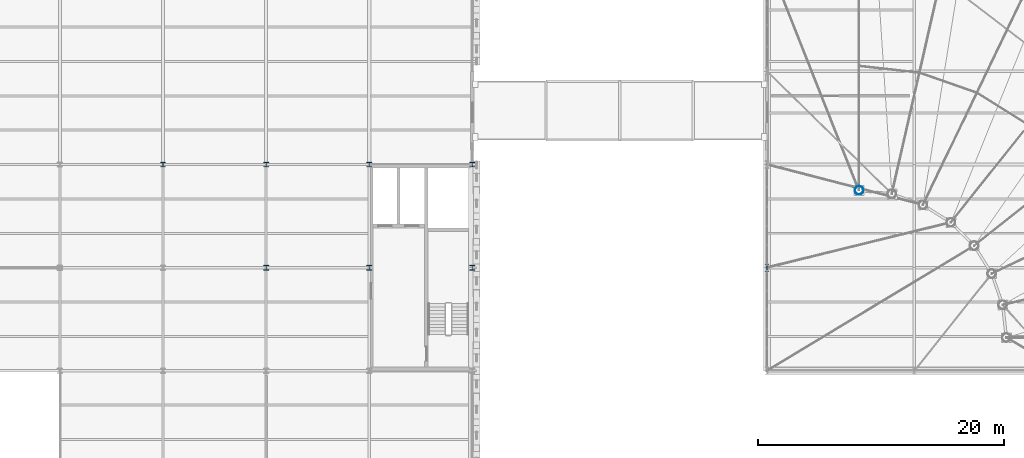
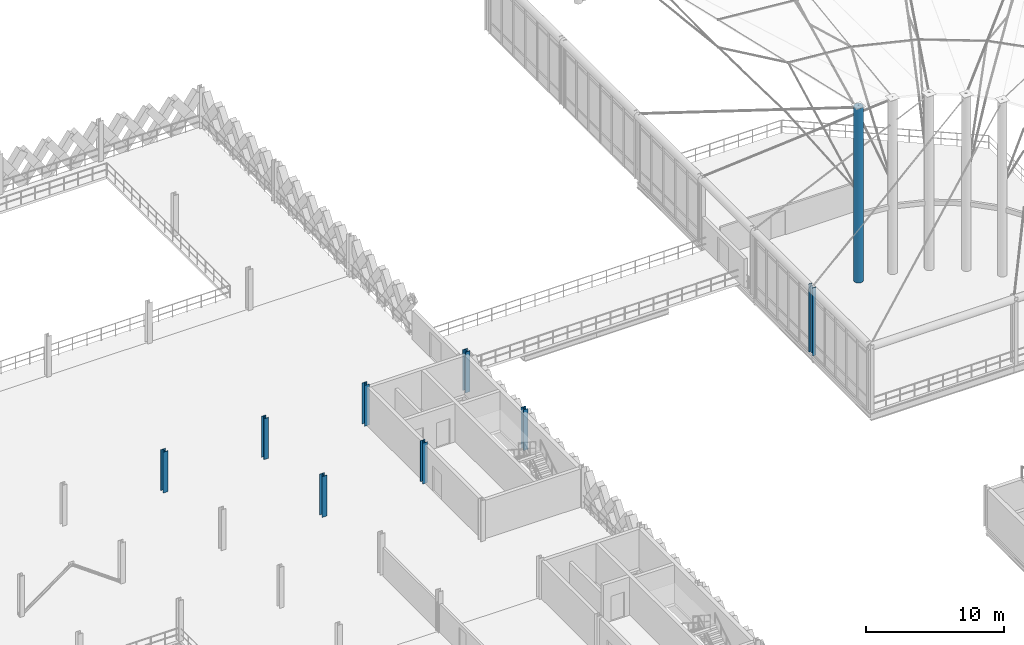
# One storey, part 13 of 101: 9 columns.
"""IFC4 building model written with IfcOpenShell, lengths in metres."""

from ifc_helpers import new_model, si_unit, direction, frame, origin, origin_2d, place, context, subcontext, project, spatial, hollow_circle, i_section, extrude, material, material_profile, profile_set, type_object, element, save


model = new_model("IFC4")

# Units and contexts
model_context = context("Model", 3, precision=1e-05, world=origin(), true_north=direction((0.0, 1.0)))
body_context = subcontext(model_context, "Body", "Model", "MODEL_VIEW")
ifc_project = project(units=[si_unit("LENGTHUNIT", "METRE"), si_unit("AREAUNIT", "SQUARE_METRE"), si_unit("VOLUMEUNIT", "CUBIC_METRE"), si_unit("PLANEANGLEUNIT", "RADIAN"), si_unit("MASSUNIT", "GRAM", prefix="KILO"), si_unit("THERMODYNAMICTEMPERATUREUNIT", "KELVIN"), si_unit("POWERUNIT", "WATT")], contexts=[model_context])

# Site, building, storey
site_placement = place(None, origin())
site = spatial("IfcSite", under=ifc_project, at=site_placement, CompositionType="ELEMENT")
building_placement = place(site_placement, origin())
building = spatial("IfcBuilding", under=site, at=building_placement, Name="Tembeka Court Mobility Hub", CompositionType="ELEMENT")
storey_placement = place(building_placement, frame((0.0, 0.0, 5.39990234375)))
storey = spatial("IfcBuildingStorey", under=building, at=storey_placement, Name="L01", CompositionType="ELEMENT", Elevation=5.39990234375)

# Columns
ifc_material = material(Name="Steel S355", Category="steel")
ifc_material_profile_1 = material_profile(ifc_material, i_section(OverallWidth=0.39501953125, OverallDepth=0.381103515625, WebThickness=0.018310546875, FlangeThickness=0.0302734375, FilletRadius=0.01513671875, at=origin_2d()), Name="UKC 356x406x235")
ifc_profile_set_1 = profile_set([ifc_material_profile_1], Name="Steel S355")
column_type_1 = type_object("IfcColumnType", Name="COL-C02", PredefinedType="COLUMN", material=ifc_profile_set_1)
for number, where, z_axis, x_axis, name in (
    (1, (67.199951171875, 80.39990234375, 0.0), (0.0, 0.0, 1.0), (1.0, 0.0, 0.0), "Column C02 (L01-100)"),
    (2, (75.60009765625, 72.0, 0.0), (0.0, 0.0, 1.0), (1.0, 0.0, 0.0), "Column C02 (L01-109)"),
    (3, (75.60009765625, 80.39990234375, 0.0), (0.0, 0.0, 1.0), (1.0, 0.0, 0.0), "Column C02 (L01-110)"),
    (4, (84.0, 72.0, 0.0), (0.0, 0.0, 1.0), (1.0, 0.0, 0.0), "Column C02 (L01-120)"),
    (5, (84.0, 80.39990234375, 0.0), (0.0, 0.0, 1.0), (1.0, 0.0, 0.0), "Column C02 (L01-121)"),
    (6, (92.39990234375, 72.0, 0.0), (0.0, 0.0, 1.0), (1.0, 0.0, 0.0), "Column C02 (L01-132)"),
    (7, (92.39990234375, 80.39990234375, 0.0), (0.0, 0.0, 1.0), (1.0, 0.0, 0.0), "Column C02 (L01-133)"),
):
    element("IfcColumn", number, at=place(storey_placement, frame(where, z_axis=z_axis, x_axis=x_axis)), inside=storey, type_object=column_type_1, Name=name, PredefinedType="COLUMN", context=body_context, shape_type="SweptSolid", body=[
        extrude(i_section(OverallWidth=0.39501953125, OverallDepth=0.381103515625, WebThickness=0.018310546875, FlangeThickness=0.0302734375, FilletRadius=0.01513671875, at=origin_2d()), origin(), (0.0, 0.0, 1.0), 3.60009765625),
    ])
ifc_material_profile_2 = material_profile(ifc_material, i_section(OverallWidth=0.300048828125, OverallDepth=0.60009765625, WebThickness=0.015380859375, FlangeThickness=0.030029296875, FilletRadius=0.027099609375, at=origin_2d()), Name="HEB 600")
ifc_profile_set_2 = profile_set([ifc_material_profile_2], Name="Steel S355")
column_type_2 = type_object("IfcColumnType", Name="COL-C06", PredefinedType="COLUMN", material=ifc_profile_set_2)
column_1_placement = place(storey_placement, frame((116.39990234375, 72.0, 0.0), z_axis=(0.0, 0.0, 1.0), x_axis=(1.0, 0.0, 0.0)))
element("IfcColumn", 8, at=column_1_placement, inside=storey, type_object=column_type_2, Name="Column C06 (L01-163)", PredefinedType="COLUMN", context=body_context, shape_type="SweptSolid", body=[
    extrude(i_section(OverallWidth=0.300048828125, OverallDepth=0.60009765625, WebThickness=0.015380859375, FlangeThickness=0.030029296875, FilletRadius=0.027099609375, at=origin_2d()), origin(), (0.0, 0.0, 1.0), 6.0),
])
ifc_material_profile_3 = material_profile(ifc_material, hollow_circle(Radius=0.35546875, WallThickness=0.02490234375, at=origin_2d()), Name="CHS 711x25")
ifc_profile_set_3 = profile_set([ifc_material_profile_3], Name="Steel S355")
column_type_3 = type_object("IfcColumnType", Name="COL-MST01", PredefinedType="COLUMN", material=ifc_profile_set_3)
column_2_placement = place(storey_placement, frame((123.89990234375, 78.300048828125, 0.0), z_axis=(0.0, 0.0, 1.0), x_axis=(1.0, 0.0, 0.0)))
element("IfcColumn", 9, at=column_2_placement, inside=storey, type_object=column_type_3, Name="Concourse roof mast M8 (L01)", PredefinedType="COLUMN", context=body_context, shape_type="SweptSolid", body=[
    extrude(hollow_circle(Radius=0.35546875, WallThickness=0.02490234375, at=origin_2d()), origin(), (0.0, 0.0, 1.0), 15.400146484375),
])

save(model, "model.ifc")
